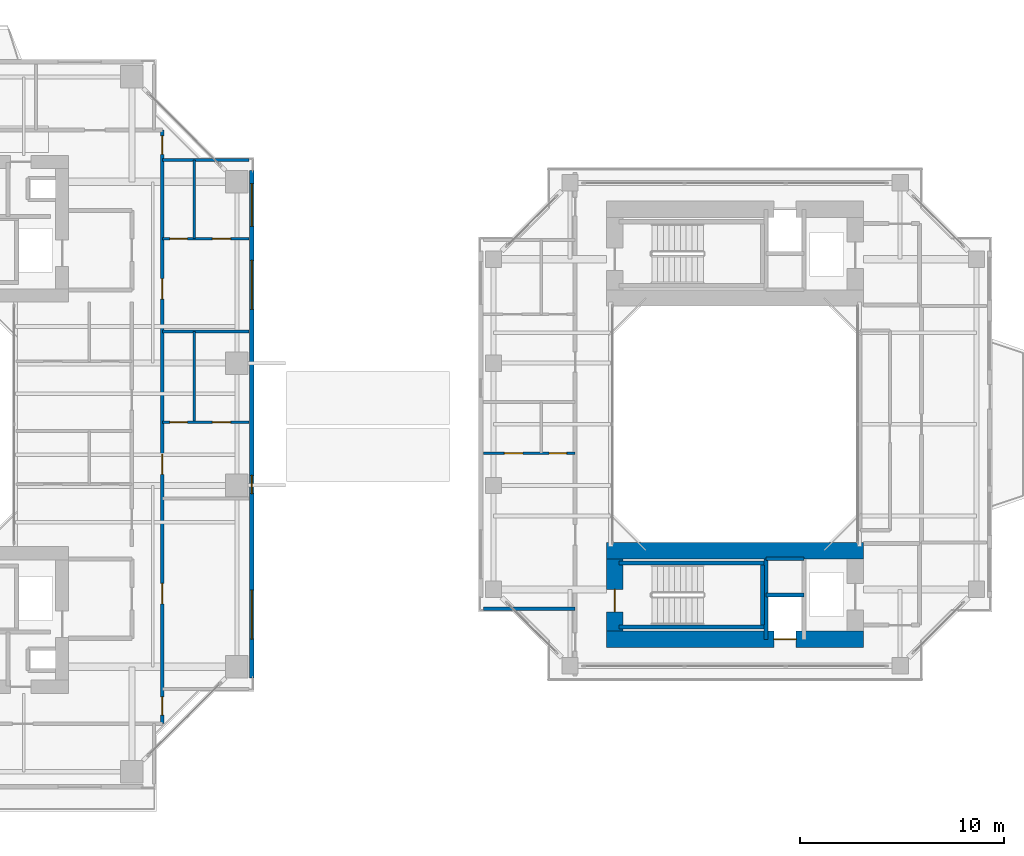
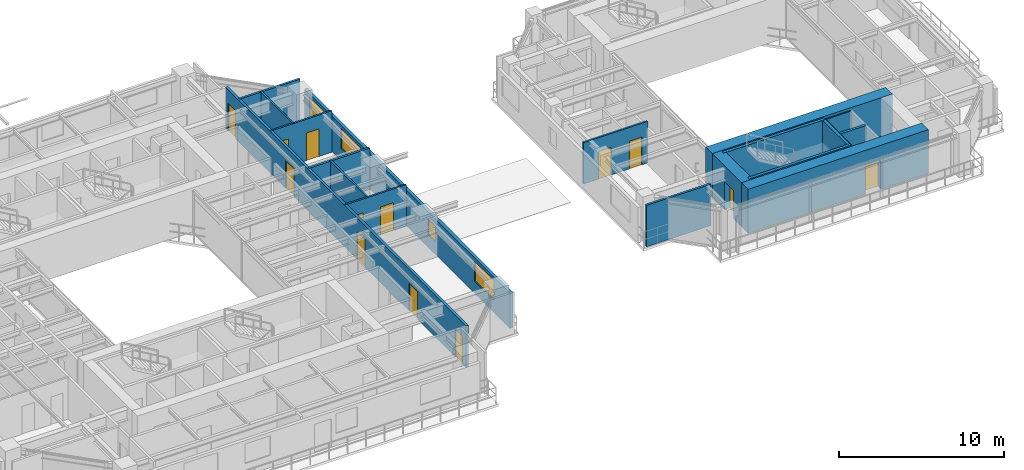
# One storey, part 16 of 23: 19 walls, 13 doors, 4 windows, 17 openings.
"""IFC4 building model written with IfcOpenShell, lengths in metres."""

from ifc_helpers import new_model, si_unit, direction, frame, frame_2d, origin, place, context, subcontext, project, spatial, rectangle, extrude, source, transform, mapped, material, layer, layer_set, type_object, element, fill, save


model = new_model("IFC4")

# Units and contexts
model_context = context("Model", 3, precision=1e-05, world=origin(), true_north=direction((0.0, 1.0)))
body_context = subcontext(model_context, "Body", "Model", "MODEL_VIEW")
ifc_project = project(units=[si_unit("LENGTHUNIT", "METRE"), si_unit("AREAUNIT", "SQUARE_METRE"), si_unit("VOLUMEUNIT", "CUBIC_METRE"), si_unit("PLANEANGLEUNIT", "RADIAN"), si_unit("MASSUNIT", "GRAM", prefix="KILO"), si_unit("THERMODYNAMICTEMPERATUREUNIT", "KELVIN"), si_unit("POWERUNIT", "WATT")], contexts=[model_context])

# Site, building, storey
site_placement = place(None, origin())
site = spatial("IfcSite", under=ifc_project, at=site_placement, CompositionType="ELEMENT")
building_placement = place(site_placement, origin())
building = spatial("IfcBuilding", under=site, at=building_placement, Name="Qiaomeng Ring Towers", CompositionType="ELEMENT")
storey_placement = place(building_placement, frame((0.0, 0.0, 97.0)))
storey = spatial("IfcBuildingStorey", under=building, at=storey_placement, Name="L27", CompositionType="ELEMENT", Elevation=97.0)

# Wall, openings, windows
ifc_material_1 = material(Name="Precast concrete C40", Category="concrete")
ifc_layer_1 = layer(ifc_material_1, 0.219970703125, Name="Precast concrete C40")
ifc_layer_set_1 = layer_set([ifc_layer_1], Name="Precast concrete C40")
wall_type_1 = type_object("IfcWallType", Name="ARC-WL-EW2", PredefinedType="STANDARD", material=ifc_layer_set_1)
wall_1_placement = place(storey_placement, frame((36.7900390625, 10.550048828125, 0.0), z_axis=(0.0, 0.0, 1.0), x_axis=(0.0, 1.0, 0.0)))
wall_1 = element("IfcWall", 1, at=wall_1_placement, inside=storey, type_object=wall_type_1, Name="L27 Tower 1 E Exterior Wall", PredefinedType="STANDARD", context=body_context, shape_type="SweptSolid", body=[
    extrude(rectangle(XDim=24.89990234375, YDim=0.219970703125, at=frame_2d((12.449951171875, 0.0))), origin(), (0.0, 0.0, 1.0), 2.610107421875),
])
opening_1_placement = place(wall_1_placement, frame((1.912109375, 0.0, 0.89990234375)))
opening_1 = element("IfcOpeningElement", 2, at=opening_1_placement, cuts=wall_1, Name="Opening WN6", PredefinedType="OPENING", context=body_context, shape_type="SweptSolid", body=[
    extrude(rectangle(XDim=2.39990234375, YDim=1.47998046875, at=frame_2d((1.199951171875, 0.739990234375))), frame((0.0, 0.119873046875, 0.0), z_axis=(0.0, -1.0, 0.0), x_axis=(1.0, 0.0, 0.0)), (0.0, 0.0, 1.0), 0.239990234375),
])
opening_2_placement = place(wall_1_placement, frame((22.1650390625, 0.0, 0.89990234375)))
opening_2 = element("IfcOpeningElement", 3, at=opening_2_placement, cuts=wall_1, Name="Opening WN4", PredefinedType="OPENING", context=body_context, shape_type="SweptSolid", body=[
    extrude(rectangle(XDim=2.10009765625, YDim=1.5, at=frame_2d((1.050048828125, 0.75))), frame((0.0, 0.119873046875, 0.0), z_axis=(0.0, -1.0, 0.0), x_axis=(1.0, 0.0, 0.0)), (0.0, 0.0, 1.0), 0.239990234375),
])
opening_3_placement = place(wall_1_placement, frame((18.092529296875, 0.0, 0.89990234375)))
opening_3 = element("IfcOpeningElement", 4, at=opening_3_placement, cuts=wall_1, Name="Opening WN6", PredefinedType="OPENING", context=body_context, shape_type="SweptSolid", body=[
    extrude(rectangle(XDim=2.39990234375, YDim=1.5, at=frame_2d((1.199951171875, 0.75))), frame((0.0, 0.119873046875, 0.0), z_axis=(0.0, -1.0, 0.0), x_axis=(1.0, 0.0, 0.0)), (0.0, 0.0, 1.0), 0.239990234375),
])
opening_4_placement = place(wall_1_placement, frame((9.044921875, 0.0, 0.89990234375)))
opening_4 = element("IfcOpeningElement", 5, at=opening_4_placement, cuts=wall_1, Name="Opening WN5", PredefinedType="OPENING", context=body_context, shape_type="SweptSolid", body=[
    extrude(rectangle(XDim=0.89990234375, YDim=1.199951171875, at=frame_2d((0.449951171875, 0.60009765625))), frame((0.0, 0.119873046875, 0.0), z_axis=(0.0, -1.0, 0.0), x_axis=(1.0, 0.0, 0.0)), (0.0, 0.0, 1.0), 0.239990234375),
])
ifc_material_2 = material(Name="Low-E dark-grey laminated double glazing", Category="glass")
window_type_1 = type_object("IfcWindowType", Name="ARC-WN-4", PartitioningType="TRIPLE_PANEL_VERTICAL", PredefinedType="WINDOW", material=ifc_material_2)
shared_shape_1 = source(origin(), body_context, "Body", "SweptSolid", [
    extrude(rectangle(XDim=2.10009765625, YDim=1.5, at=frame_2d((1.050048828125, 0.75))), frame((0.0, 0.030029296875, 0.0), z_axis=(0.0, -1.0, 0.0), x_axis=(1.0, 0.0, 0.0)), (0.0, 0.0, 1.0), 0.06005859375),
])
window_1_placement = place(opening_2_placement, origin())
window_1 = element("IfcWindow", 6, at=window_1_placement, inside=storey, type_object=window_type_1, Name="L27 Exterior Window WN4", OverallHeight=1.5, OverallWidth=2.10009765625, PartitioningType="TRIPLE_PANEL_VERTICAL", PredefinedType="WINDOW", context=body_context, shape_type="MappedRepresentation", body=[
    mapped(shared_shape_1, transform((0.0, 0.0, 0.0), x_axis=(1.0, 0.0, 0.0), y_axis=(0.0, 1.0, 0.0), z_axis=(0.0, 0.0, 1.0), scale=1.0)),
])
fill(opening_2, window_1)
window_type_2 = type_object("IfcWindowType", Name="ARC-WN-6", PartitioningType="TRIPLE_PANEL_VERTICAL", PredefinedType="WINDOW", material=ifc_material_2)
shared_shape_2 = source(origin(), body_context, "Body", "SweptSolid", [
    extrude(rectangle(XDim=2.39990234375, YDim=1.47998046875, at=frame_2d((1.199951171875, 0.739990234375))), frame((0.0, 0.030029296875, 0.0), z_axis=(0.0, -1.0, 0.0), x_axis=(1.0, 0.0, 0.0)), (0.0, 0.0, 1.0), 0.06005859375),
])
window_2_placement = place(opening_1_placement, origin())
window_2 = element("IfcWindow", 7, at=window_2_placement, inside=storey, type_object=window_type_2, Name="L27 Exterior Window WN6", OverallHeight=1.47998046875, OverallWidth=2.39990234375, PartitioningType="TRIPLE_PANEL_VERTICAL", PredefinedType="WINDOW", context=body_context, shape_type="MappedRepresentation", body=[
    mapped(shared_shape_2, transform((0.0, 0.0, 0.0), x_axis=(1.0, 0.0, 0.0), y_axis=(0.0, 1.0, 0.0), z_axis=(0.0, 0.0, 1.0), scale=1.0)),
])
fill(opening_1, window_2)
shared_shape_3 = source(origin(), body_context, "Body", "SweptSolid", [
    extrude(rectangle(XDim=2.39990234375, YDim=1.5, at=frame_2d((1.199951171875, 0.75))), frame((0.0, 0.030029296875, 0.0), z_axis=(0.0, -1.0, 0.0), x_axis=(1.0, 0.0, 0.0)), (0.0, 0.0, 1.0), 0.06005859375),
])
window_3_placement = place(opening_3_placement, origin())
window_3 = element("IfcWindow", 8, at=window_3_placement, inside=storey, type_object=window_type_2, Name="L27 Exterior Window WN6", OverallHeight=1.5, OverallWidth=2.39990234375, PartitioningType="TRIPLE_PANEL_VERTICAL", PredefinedType="WINDOW", context=body_context, shape_type="MappedRepresentation", body=[
    mapped(shared_shape_3, transform((0.0, 0.0, 0.0), x_axis=(1.0, 0.0, 0.0), y_axis=(0.0, 1.0, 0.0), z_axis=(0.0, 0.0, 1.0), scale=1.0)),
])
fill(opening_3, window_3)
window_type_3 = type_object("IfcWindowType", Name="ARC-WN-5", PartitioningType="SINGLE_PANEL", PredefinedType="WINDOW", material=ifc_material_2)
shared_shape_4 = source(origin(), body_context, "Body", "SweptSolid", [
    extrude(rectangle(XDim=0.89990234375, YDim=1.199951171875, at=frame_2d((0.449951171875, 0.60009765625))), frame((0.0, 0.030029296875, 0.0), z_axis=(0.0, -1.0, 0.0), x_axis=(1.0, 0.0, 0.0)), (0.0, 0.0, 1.0), 0.06005859375),
])
window_4_placement = place(opening_4_placement, origin())
window_4 = element("IfcWindow", 9, at=window_4_placement, inside=storey, type_object=window_type_3, Name="L27 Exterior Window WN5", OverallHeight=1.199951171875, OverallWidth=0.89990234375, PartitioningType="SINGLE_PANEL", PredefinedType="WINDOW", context=body_context, shape_type="MappedRepresentation", body=[
    mapped(shared_shape_4, transform((0.0, 0.0, 0.0), x_axis=(1.0, 0.0, 0.0), y_axis=(0.0, 1.0, 0.0), z_axis=(0.0, 0.0, 1.0), scale=1.0)),
])
fill(opening_4, window_4)

# Wall, openings, doors
ifc_material_3 = material(Name="Autoclaved aerated concrete block", Category="concrete")
ifc_layer_2 = layer(ifc_material_3, 0.179931640625, Name="Autoclaved aerated concrete block")
ifc_layer_set_2 = layer_set([ifc_layer_2], Name="Autoclaved aerated concrete block")
wall_type_2 = type_object("IfcWallType", Name="ARC-WL-PW2", PredefinedType="PARTITIONING", material=ifc_layer_set_2)
wall_2_placement = place(storey_placement, frame((32.39990234375, 8.31005859375, 0.0), z_axis=(0.0, 0.0, 1.0), x_axis=(0.0, 1.0, 0.0)))
wall_2 = element("IfcWall", 10, at=wall_2_placement, inside=storey, type_object=wall_type_2, Name="L27 Interior Wall PW2", PredefinedType="PARTITIONING", context=body_context, shape_type="SweptSolid", body=[
    extrude(rectangle(XDim=29.1298828125, YDim=0.179931640625, at=frame_2d((14.56494140625, 0.0))), origin(), (0.0, 0.0, 1.0), 3.070068359375),
])
opening_5_placement = place(wall_2_placement, frame((27.93994140625, 0.0, 0.0)))
opening_5 = element("IfcOpeningElement", 11, at=opening_5_placement, cuts=wall_2, Name="Opening ID1", PredefinedType="OPENING", context=body_context, shape_type="SweptSolid", body=[
    extrude(rectangle(XDim=0.89990234375, YDim=2.050048828125, at=frame_2d((0.449951171875, 1.02490234375))), frame((0.0, 0.099853515625, 0.0), z_axis=(0.0, -1.0, 0.0), x_axis=(1.0, 0.0, 0.0)), (0.0, 0.0, 1.0), 0.199951171875),
])
opening_6_placement = place(wall_2_placement, frame((0.4150390625, 0.0, 0.0)))
opening_6 = element("IfcOpeningElement", 12, at=opening_6_placement, cuts=wall_2, Name="Opening ID1", PredefinedType="OPENING", context=body_context, shape_type="SweptSolid", body=[
    extrude(rectangle(XDim=0.89990234375, YDim=2.050048828125, at=frame_2d((0.449951171875, 1.02490234375))), frame((0.0, 0.099853515625, 0.0), z_axis=(0.0, -1.0, 0.0), x_axis=(1.0, 0.0, 0.0)), (0.0, 0.0, 1.0), 0.199951171875),
])
opening_7_placement = place(wall_2_placement, frame((5.8798828125, 0.0, 0.0)))
opening_7 = element("IfcOpeningElement", 13, at=opening_7_placement, cuts=wall_2, Name="Opening FD4", PredefinedType="OPENING", context=body_context, shape_type="SweptSolid", body=[
    extrude(rectangle(XDim=1.0, YDim=2.050048828125, at=frame_2d((0.5, 1.02490234375))), frame((0.0, 0.099853515625, 0.0), z_axis=(0.0, -1.0, 0.0), x_axis=(1.0, 0.0, 0.0)), (0.0, 0.0, 1.0), 0.199951171875),
])
opening_8_placement = place(wall_2_placement, frame((12.22998046875, 0.0, 0.0)))
opening_8 = element("IfcOpeningElement", 14, at=opening_8_placement, cuts=wall_2, Name="Opening FD4", PredefinedType="OPENING", context=body_context, shape_type="SweptSolid", body=[
    extrude(rectangle(XDim=1.0, YDim=2.050048828125, at=frame_2d((0.5, 1.02490234375))), frame((0.0, 0.099853515625, 0.0), z_axis=(0.0, -1.0, 0.0), x_axis=(1.0, 0.0, 0.0)), (0.0, 0.0, 1.0), 0.199951171875),
])
opening_9_placement = place(wall_2_placement, frame((20.8349609375, 0.0, 0.0)))
opening_9 = element("IfcOpeningElement", 15, at=opening_9_placement, cuts=wall_2, Name="Opening FD4", PredefinedType="OPENING", context=body_context, shape_type="SweptSolid", body=[
    extrude(rectangle(XDim=1.0, YDim=2.050048828125, at=frame_2d((0.5, 1.02490234375))), frame((0.0, 0.099853515625, 0.0), z_axis=(0.0, -1.0, 0.0), x_axis=(1.0, 0.0, 0.0)), (0.0, 0.0, 1.0), 0.199951171875),
])
ifc_material_4 = material(Name="Engineered fire-rated oak timber", Category="wood")
door_type_1 = type_object("IfcDoorType", Name="ARC-DR-FD4", OperationType="NOTDEFINED", PredefinedType="DOOR", material=ifc_material_4)
shared_shape_5 = source(origin(), body_context, "Body", "SweptSolid", [
    extrude(rectangle(XDim=1.0, YDim=2.050048828125, at=frame_2d((0.5, 1.02490234375))), frame((0.0, 0.02490234375, 0.0), z_axis=(0.0, -1.0, 0.0), x_axis=(1.0, 0.0, 0.0)), (0.0, 0.0, 1.0), 0.050048828125),
])
door_1_placement = place(opening_7_placement, origin())
door_1 = element("IfcDoor", 16, at=door_1_placement, inside=storey, type_object=door_type_1, Name="L27 Door FD4", OperationType="SINGLE_SWING_RIGHT", OverallHeight=2.050048828125, OverallWidth=1.0, PredefinedType="DOOR", context=body_context, shape_type="MappedRepresentation", body=[
    mapped(shared_shape_5, transform((0.0, 0.0, 0.0), x_axis=(1.0, 0.0, 0.0), y_axis=(0.0, 1.0, 0.0), z_axis=(0.0, 0.0, 1.0), scale=1.0)),
])
fill(opening_7, door_1)
door_2_placement = place(opening_8_placement, origin())
door_2 = element("IfcDoor", 17, at=door_2_placement, inside=storey, type_object=door_type_1, Name="L27 Door FD4", OperationType="SINGLE_SWING_LEFT", OverallHeight=2.050048828125, OverallWidth=1.0, PredefinedType="DOOR", context=body_context, shape_type="MappedRepresentation", body=[
    mapped(shared_shape_5, transform((0.0, 0.0, 0.0), x_axis=(1.0, 0.0, 0.0), y_axis=(0.0, 1.0, 0.0), z_axis=(0.0, 0.0, 1.0), scale=1.0)),
])
fill(opening_8, door_2)
door_3_placement = place(opening_9_placement, origin())
door_3 = element("IfcDoor", 18, at=door_3_placement, inside=storey, type_object=door_type_1, Name="L27 Door FD4", OperationType="SINGLE_SWING_RIGHT", OverallHeight=2.050048828125, OverallWidth=1.0, PredefinedType="DOOR", context=body_context, shape_type="MappedRepresentation", body=[
    mapped(shared_shape_5, transform((0.0, 0.0, 0.0), x_axis=(1.0, 0.0, 0.0), y_axis=(0.0, 1.0, 0.0), z_axis=(0.0, 0.0, 1.0), scale=1.0)),
])
fill(opening_9, door_3)
ifc_material_5 = material(Name="Engineered oak timber", Category="wood")
door_type_2 = type_object("IfcDoorType", Name="ARC-DR-ID1", OperationType="NOTDEFINED", PredefinedType="DOOR", material=ifc_material_5)
shared_shape_6 = source(origin(), body_context, "Body", "SweptSolid", [
    extrude(rectangle(XDim=0.89990234375, YDim=2.050048828125, at=frame_2d((0.449951171875, 1.02490234375))), frame((0.0, 0.02490234375, 0.0), z_axis=(0.0, -1.0, 0.0), x_axis=(1.0, 0.0, 0.0)), (0.0, 0.0, 1.0), 0.050048828125),
])
door_4_placement = place(opening_5_placement, origin())
door_4 = element("IfcDoor", 19, at=door_4_placement, inside=storey, type_object=door_type_2, Name="L27 Door ID1", OperationType="SINGLE_SWING_RIGHT", OverallHeight=2.050048828125, OverallWidth=0.89990234375, PredefinedType="DOOR", context=body_context, shape_type="MappedRepresentation", body=[
    mapped(shared_shape_6, transform((0.0, 0.0, 0.0), x_axis=(1.0, 0.0, 0.0), y_axis=(0.0, 1.0, 0.0), z_axis=(0.0, 0.0, 1.0), scale=1.0)),
])
fill(opening_5, door_4)
door_5_placement = place(opening_6_placement, origin())
door_5 = element("IfcDoor", 20, at=door_5_placement, inside=storey, type_object=door_type_2, Name="L27 Door ID1", OperationType="SINGLE_SWING_LEFT", OverallHeight=2.050048828125, OverallWidth=0.89990234375, PredefinedType="DOOR", context=body_context, shape_type="MappedRepresentation", body=[
    mapped(shared_shape_6, transform((0.0, 0.0, 0.0), x_axis=(1.0, 0.0, 0.0), y_axis=(0.0, 1.0, 0.0), z_axis=(0.0, 0.0, 1.0), scale=1.0)),
])
fill(opening_6, door_5)

# Walls
ifc_material_6 = material(Name="Gypsum fireboard steel-stud partition", Category="steel")
ifc_layer_3 = layer(ifc_material_6, 0.14990234375, Name="Gypsum fireboard steel-stud partition")
ifc_layer_set_3 = layer_set([ifc_layer_3], Name="Gypsum fireboard steel-stud partition")
wall_type_3 = type_object("IfcWallType", Name="ARC-WL-PW3", PredefinedType="PARTITIONING", material=ifc_layer_set_3)
for number, where, z_axis, x_axis, name in (
    (21, (32.39990234375, 35.97998046875, 0.0), (0.0, 0.0, 1.0), (1.0, 0.0, 0.0), "L27 Interior Wall PW3"),
    (22, (32.39990234375, 27.56005859375, 0.0), (0.0, 0.0, 1.0), (1.0, 0.0, 0.0), "L27 Interior Wall PW3"),
):
    element("IfcWall", number, at=place(storey_placement, frame(where, z_axis=z_axis, x_axis=x_axis)), inside=storey, type_object=wall_type_3, Name=name, PredefinedType="PARTITIONING", context=body_context, shape_type="SweptSolid", body=[
        extrude(rectangle(XDim=4.25, YDim=0.14990234375, at=frame_2d((2.125, 0.0))), origin(), (0.0, 0.0, 1.0), 3.070068359375),
    ])
wall_3_placement = place(storey_placement, frame((48.14990234375, 13.949951171875, 0.0), z_axis=(0.0, 0.0, 1.0), x_axis=(1.0, 0.0, 0.0)))
element("IfcWall", 23, at=wall_3_placement, inside=storey, type_object=wall_type_3, Name="L27 Interior Wall PW3", PredefinedType="PARTITIONING", context=body_context, shape_type="SweptSolid", body=[
    extrude(rectangle(XDim=4.5, YDim=0.14990234375, at=frame_2d((2.25, 0.0))), origin(), (0.0, 0.0, 1.0), 3.070068359375),
])

# Wall, openings, doors
ifc_material_7 = material(Name="Moisture-resistant gypsum steel-stud partition", Category="steel")
ifc_layer_4 = layer(ifc_material_7, 0.1201171875, Name="Moisture-resistant gypsum steel-stud partition")
ifc_layer_set_4 = layer_set([ifc_layer_4], Name="Moisture-resistant gypsum steel-stud partition")
wall_type_4 = type_object("IfcWallType", Name="ARC-WL-PW4", PredefinedType="PLUMBINGWALL", material=ifc_layer_set_4)
wall_4_placement = place(storey_placement, frame((32.39990234375, 23.10009765625, 0.0), z_axis=(0.0, 0.0, 1.0), x_axis=(1.0, 0.0, 0.0)))
wall_4 = element("IfcWall", 24, at=wall_4_placement, inside=storey, type_object=wall_type_4, Name="L27 Interior Wall PW4", PredefinedType="PLUMBINGWALL", context=body_context, shape_type="SweptSolid", body=[
    extrude(rectangle(XDim=4.25, YDim=0.1201171875, at=frame_2d((2.125, 0.0))), origin(), (0.0, 0.0, 1.0), 3.070068359375),
])
opening_10_placement = place(wall_4_placement, frame((0.3701171875, 0.0, 0.0)))
opening_10 = element("IfcOpeningElement", 25, at=opening_10_placement, cuts=wall_4, Name="Opening ID2", PredefinedType="OPENING", context=body_context, shape_type="SweptSolid", body=[
    extrude(rectangle(XDim=0.85009765625, YDim=2.050048828125, at=frame_2d((0.425048828125, 1.02490234375))), frame((0.0, 0.070068359375, 0.0), z_axis=(0.0, -1.0, 0.0), x_axis=(1.0, 0.0, 0.0)), (0.0, 0.0, 1.0), 0.14013671875),
])
opening_11_placement = place(wall_4_placement, frame((2.449951171875, 0.0, 0.0)))
opening_11 = element("IfcOpeningElement", 26, at=opening_11_placement, cuts=wall_4, Name="Opening ID1", PredefinedType="OPENING", context=body_context, shape_type="SweptSolid", body=[
    extrude(rectangle(XDim=0.89990234375, YDim=2.050048828125, at=frame_2d((0.449951171875, 1.02490234375))), frame((0.0, 0.070068359375, 0.0), z_axis=(0.0, -1.0, 0.0), x_axis=(1.0, 0.0, 0.0)), (0.0, 0.0, 1.0), 0.14013671875),
])
ifc_material_8 = material(Name="Moisture-resistant engineered timber", Category="wood")
door_type_3 = type_object("IfcDoorType", Name="ARC-DR-ID2", OperationType="NOTDEFINED", PredefinedType="DOOR", material=ifc_material_8)
shared_shape_7 = source(origin(), body_context, "Body", "SweptSolid", [
    extrude(rectangle(XDim=0.85009765625, YDim=2.050048828125, at=frame_2d((0.425048828125, 1.02490234375))), frame((0.0, 0.02490234375, 0.0), z_axis=(0.0, -1.0, 0.0), x_axis=(1.0, 0.0, 0.0)), (0.0, 0.0, 1.0), 0.050048828125),
])
door_6_placement = place(opening_10_placement, origin())
door_6 = element("IfcDoor", 27, at=door_6_placement, inside=storey, type_object=door_type_3, Name="L27 Door ID2", OperationType="SINGLE_SWING_LEFT", OverallHeight=2.050048828125, OverallWidth=0.85009765625, PredefinedType="DOOR", context=body_context, shape_type="MappedRepresentation", body=[
    mapped(shared_shape_7, transform((0.0, 0.0, 0.0), x_axis=(1.0, 0.0, 0.0), y_axis=(0.0, 1.0, 0.0), z_axis=(0.0, 0.0, 1.0), scale=1.0)),
])
fill(opening_10, door_6)
door_7_placement = place(opening_11_placement, origin())
door_7 = element("IfcDoor", 28, at=door_7_placement, inside=storey, type_object=door_type_2, Name="L27 Door ID1", OperationType="SINGLE_SWING_RIGHT", OverallHeight=2.050048828125, OverallWidth=0.89990234375, PredefinedType="DOOR", context=body_context, shape_type="MappedRepresentation", body=[
    mapped(shared_shape_6, transform((0.0, 0.0, 0.0), x_axis=(1.0, 0.0, 0.0), y_axis=(0.0, 1.0, 0.0), z_axis=(0.0, 0.0, 1.0), scale=1.0)),
])
fill(opening_11, door_7)

# Wall
wall_5_placement = place(storey_placement, frame((33.969970703125, 23.10009765625, 0.0), z_axis=(0.0, 0.0, 1.0), x_axis=(0.0, 1.0, 0.0)))
element("IfcWall", 29, at=wall_5_placement, inside=storey, type_object=wall_type_4, Name="L27 Interior Wall PW4", PredefinedType="PLUMBINGWALL", context=body_context, shape_type="SweptSolid", body=[
    extrude(rectangle(XDim=4.4599609375, YDim=0.1201171875, at=frame_2d((2.22998046875, 0.0))), origin(), (0.0, 0.0, 1.0), 3.070068359375),
])

# Wall, openings, doors
wall_6_placement = place(storey_placement, frame((32.39990234375, 32.110107421875, 0.0), z_axis=(0.0, 0.0, 1.0), x_axis=(1.0, 0.0, 0.0)))
wall_6 = element("IfcWall", 30, at=wall_6_placement, inside=storey, type_object=wall_type_4, Name="L27 Interior Wall PW4", PredefinedType="PLUMBINGWALL", context=body_context, shape_type="SweptSolid", body=[
    extrude(rectangle(XDim=4.25, YDim=0.1201171875, at=frame_2d((2.125, 0.0))), origin(), (0.0, 0.0, 1.0), 3.070068359375),
])
opening_12_placement = place(wall_6_placement, frame((0.3701171875, 0.0, 0.0)))
opening_12 = element("IfcOpeningElement", 31, at=opening_12_placement, cuts=wall_6, Name="Opening ID2", PredefinedType="OPENING", context=body_context, shape_type="SweptSolid", body=[
    extrude(rectangle(XDim=0.85009765625, YDim=2.050048828125, at=frame_2d((0.425048828125, 1.02490234375))), frame((0.0, 0.070068359375, 0.0), z_axis=(0.0, -1.0, 0.0), x_axis=(1.0, 0.0, 0.0)), (0.0, 0.0, 1.0), 0.14013671875),
])
opening_13_placement = place(wall_6_placement, frame((2.449951171875, 0.0, 0.0)))
opening_13 = element("IfcOpeningElement", 32, at=opening_13_placement, cuts=wall_6, Name="Opening ID1", PredefinedType="OPENING", context=body_context, shape_type="SweptSolid", body=[
    extrude(rectangle(XDim=0.89990234375, YDim=2.050048828125, at=frame_2d((0.449951171875, 1.02490234375))), frame((0.0, 0.070068359375, 0.0), z_axis=(0.0, -1.0, 0.0), x_axis=(1.0, 0.0, 0.0)), (0.0, 0.0, 1.0), 0.14013671875),
])
door_8_placement = place(opening_12_placement, origin())
door_8 = element("IfcDoor", 33, at=door_8_placement, inside=storey, type_object=door_type_3, Name="L27 Door ID2", OperationType="SINGLE_SWING_RIGHT", OverallHeight=2.050048828125, OverallWidth=0.85009765625, PredefinedType="DOOR", context=body_context, shape_type="MappedRepresentation", body=[
    mapped(shared_shape_7, transform((0.0, 0.0, 0.0), x_axis=(1.0, 0.0, 0.0), y_axis=(0.0, 1.0, 0.0), z_axis=(0.0, 0.0, 1.0), scale=1.0)),
])
fill(opening_12, door_8)
door_9_placement = place(opening_13_placement, origin())
door_9 = element("IfcDoor", 34, at=door_9_placement, inside=storey, type_object=door_type_2, Name="L27 Door ID1", OperationType="SINGLE_SWING_LEFT", OverallHeight=2.050048828125, OverallWidth=0.89990234375, PredefinedType="DOOR", context=body_context, shape_type="MappedRepresentation", body=[
    mapped(shared_shape_6, transform((0.0, 0.0, 0.0), x_axis=(1.0, 0.0, 0.0), y_axis=(0.0, 1.0, 0.0), z_axis=(0.0, 0.0, 1.0), scale=1.0)),
])
fill(opening_13, door_9)

# Wall
wall_7_placement = place(storey_placement, frame((33.969970703125, 32.110107421875, 0.0), z_axis=(0.0, 0.0, 1.0), x_axis=(0.0, 1.0, 0.0)))
element("IfcWall", 35, at=wall_7_placement, inside=storey, type_object=wall_type_4, Name="L27 Interior Wall PW4", PredefinedType="PLUMBINGWALL", context=body_context, shape_type="SweptSolid", body=[
    extrude(rectangle(XDim=3.869873046875, YDim=0.1201171875, at=frame_2d((1.93505859375, 0.0))), origin(), (0.0, 0.0, 1.0), 3.070068359375),
])

# Wall, openings, doors
wall_8_placement = place(storey_placement, frame((48.14990234375, 21.580078125, 0.0), z_axis=(0.0, 0.0, 1.0), x_axis=(1.0, 0.0, 0.0)))
wall_8 = element("IfcWall", 36, at=wall_8_placement, inside=storey, type_object=wall_type_4, Name="L27 Interior Wall PW4", PredefinedType="PLUMBINGWALL", context=body_context, shape_type="SweptSolid", body=[
    extrude(rectangle(XDim=4.5, YDim=0.1201171875, at=frame_2d((2.25, 0.0))), origin(), (0.0, 0.0, 1.0), 3.070068359375),
])
opening_14_placement = place(wall_8_placement, frame((1.035888671875, 0.0, 0.0)))
opening_14 = element("IfcOpeningElement", 37, at=opening_14_placement, cuts=wall_8, Name="Opening ID1", PredefinedType="OPENING", context=body_context, shape_type="SweptSolid", body=[
    extrude(rectangle(XDim=0.89990234375, YDim=2.050048828125, at=frame_2d((0.449951171875, 1.02490234375))), frame((0.0, 0.070068359375, 0.0), z_axis=(0.0, -1.0, 0.0), x_axis=(1.0, 0.0, 0.0)), (0.0, 0.0, 1.0), 0.14013671875),
])
opening_15_placement = place(wall_8_placement, frame((3.22998046875, 0.0, 0.0)))
opening_15 = element("IfcOpeningElement", 38, at=opening_15_placement, cuts=wall_8, Name="Opening ID2", PredefinedType="OPENING", context=body_context, shape_type="SweptSolid", body=[
    extrude(rectangle(XDim=0.85009765625, YDim=2.050048828125, at=frame_2d((0.425048828125, 1.02490234375))), frame((0.0, 0.070068359375, 0.0), z_axis=(0.0, -1.0, 0.0), x_axis=(1.0, 0.0, 0.0)), (0.0, 0.0, 1.0), 0.14013671875),
])
door_10_placement = place(opening_15_placement, origin())
door_10 = element("IfcDoor", 39, at=door_10_placement, inside=storey, type_object=door_type_3, Name="L27 Door ID2", OperationType="SINGLE_SWING_RIGHT", OverallHeight=2.050048828125, OverallWidth=0.85009765625, PredefinedType="DOOR", context=body_context, shape_type="MappedRepresentation", body=[
    mapped(shared_shape_7, transform((0.0, 0.0, 0.0), x_axis=(1.0, 0.0, 0.0), y_axis=(0.0, 1.0, 0.0), z_axis=(0.0, 0.0, 1.0), scale=1.0)),
])
fill(opening_15, door_10)
door_11_placement = place(opening_14_placement, origin())
door_11 = element("IfcDoor", 40, at=door_11_placement, inside=storey, type_object=door_type_2, Name="L27 Door ID1", OperationType="SINGLE_SWING_LEFT", OverallHeight=2.050048828125, OverallWidth=0.89990234375, PredefinedType="DOOR", context=body_context, shape_type="MappedRepresentation", body=[
    mapped(shared_shape_6, transform((0.0, 0.0, 0.0), x_axis=(1.0, 0.0, 0.0), y_axis=(0.0, 1.0, 0.0), z_axis=(0.0, 0.0, 1.0), scale=1.0)),
])
fill(opening_14, door_11)

# Walls
ifc_material_9 = material(Name="Concrete C40", Category="concrete")
ifc_layer_5 = layer(ifc_material_9, 0.199951171875, Name="Concrete C40")
ifc_layer_set_5 = layer_set([ifc_layer_5], Name="Concrete C40")
wall_type_5 = type_object("IfcWallType", Name="STR-WL-STSHAFT", PredefinedType="SHEAR", material=ifc_layer_set_5)
wall_9_placement = place(storey_placement, frame((62.02001953125, 12.449951171875, 0.0), z_axis=(0.0, 0.0, 1.0), x_axis=(0.0, 1.0, 0.0)))
element("IfcWall", 41, at=wall_9_placement, inside=storey, type_object=wall_type_5, Name="L27 Companion Lift Shaft West Wall S", PredefinedType="SHEAR", context=body_context, shape_type="SweptSolid", body=[
    extrude(rectangle(XDim=3.949951171875, YDim=0.179931640625, at=frame_2d((1.97509765625, 0.0))), origin(), (0.0, 0.0, 1.0), 3.070068359375),
])
for number, where, z_axis, x_axis, name in (
    (42, (62.02001953125, 14.6201171875, 0.0), (0.0, 0.0, 1.0), (1.0, 0.0, 0.0), "L27 Companion Lift Shaft Divider Wall S"),
    (43, (62.02001953125, 16.39990234375, 0.0), (0.0, 0.0, 1.0), (1.0, 0.0, 0.0), "L27 Companion Riser Shaft Back Wall S"),
):
    element("IfcWall", number, at=place(storey_placement, frame(where, z_axis=z_axis, x_axis=x_axis)), inside=storey, type_object=wall_type_5, Name=name, PredefinedType="SHEAR", context=body_context, shape_type="SweptSolid", body=[
        extrude(rectangle(XDim=1.85986328125, YDim=0.179931640625, at=frame_2d((0.929931640625, 0.0))), origin(), (0.0, 0.0, 1.0), 3.070068359375),
    ])
for number, where, z_axis, x_axis, name in (
    (44, (54.800048828125, 13.06005859375, 0.0), (0.0, 0.0, 1.0), (1.0, 0.0, 0.0), "L27 Stair ST6 South Shaft Shear Wall"),
    (45, (54.800048828125, 16.199951171875, 0.0), (0.0, 0.0, 1.0), (1.0, 0.0, 0.0), "L27 Stair ST6 North Shaft Shear Wall"),
):
    element("IfcWall", number, at=place(storey_placement, frame(where, z_axis=z_axis, x_axis=x_axis)), inside=storey, type_object=wall_type_5, Name=name, PredefinedType="SHEAR", context=body_context, shape_type="SweptSolid", body=[
        extrude(rectangle(XDim=7.14990234375, YDim=0.199951171875, at=frame_2d((3.574951171875, 0.0))), origin(), (0.0, 0.0, 1.0), 3.25),
    ])
wall_10_placement = place(storey_placement, frame((61.85009765625, 13.159912109375, 0.0), z_axis=(0.0, 0.0, 1.0), x_axis=(0.0, 1.0, 0.0)))
element("IfcWall", 46, at=wall_10_placement, inside=storey, type_object=wall_type_5, Name="L27 Stair ST6 East Shaft Shear Wall", PredefinedType="SHEAR", context=body_context, shape_type="SweptSolid", body=[
    extrude(rectangle(XDim=2.940185546875, YDim=0.199951171875, at=frame_2d((1.47021484375, 0.0))), origin(), (0.0, 0.0, 1.0), 3.25),
])

# Wall, opening, door
ifc_material_10 = material(Name="Concrete C60", Category="concrete")
ifc_layer_6 = layer(ifc_material_10, 0.800048828125, Name="Concrete C60")
ifc_layer_set_6 = layer_set([ifc_layer_6], Name="Concrete C60")
wall_type_6 = type_object("IfcWallType", Name="STR-WL-SW1", PredefinedType="SHEAR", material=ifc_layer_set_6)
wall_11_placement = place(storey_placement, frame((54.199951171875, 12.449951171875, 0.0), z_axis=(0.0, 0.0, 1.0), x_axis=(1.0, 0.0, 0.0)))
wall_11 = element("IfcWall", 47, at=wall_11_placement, inside=storey, type_object=wall_type_6, Name="L27 T2SC south core shear wall", PredefinedType="SHEAR", context=body_context, shape_type="SweptSolid", body=[
    extrude(rectangle(XDim=12.60009765625, YDim=0.800048828125, at=frame_2d((6.300048828125, 0.0))), origin(), (0.0, 0.0, 1.0), 3.25),
])
opening_16_placement = place(wall_11_placement, frame((8.199951171875, 0.0, 0.0)))
opening_16 = element("IfcOpeningElement", 48, at=opening_16_placement, cuts=wall_11, Name="Opening LD1", PredefinedType="OPENING", context=body_context, shape_type="SweptSolid", body=[
    extrude(rectangle(XDim=1.10009765625, YDim=2.050048828125, at=frame_2d((0.550048828125, 1.02490234375))), frame((0.0, 0.409912109375, 0.0), z_axis=(0.0, -1.0, 0.0), x_axis=(1.0, 0.0, 0.0)), (0.0, 0.0, 1.0), 0.820068359375),
])
ifc_material_11 = material(Name="Stainless steel 316", Category="steel")
door_type_4 = type_object("IfcDoorType", Name="ARC-DR-LD1", OperationType="NOTDEFINED", PredefinedType="DOOR", material=ifc_material_11)
shared_shape_8 = source(origin(), body_context, "Body", "SweptSolid", [
    extrude(rectangle(XDim=1.10009765625, YDim=2.050048828125, at=frame_2d((0.550048828125, 1.02490234375))), frame((0.0, 0.02490234375, 0.0), z_axis=(0.0, -1.0, 0.0), x_axis=(1.0, 0.0, 0.0)), (0.0, 0.0, 1.0), 0.050048828125),
])
door_12_placement = place(opening_16_placement, origin())
door_12 = element("IfcDoor", 49, at=door_12_placement, inside=storey, type_object=door_type_4, Name="L27 Companion Lift LP8 Landing Door", OperationType="SLIDING_TO_RIGHT", OverallHeight=2.050048828125, OverallWidth=1.10009765625, PredefinedType="DOOR", context=body_context, shape_type="MappedRepresentation", body=[
    mapped(shared_shape_8, transform((0.0, 0.0, 0.0), x_axis=(1.0, 0.0, 0.0), y_axis=(0.0, 1.0, 0.0), z_axis=(0.0, 0.0, 1.0), scale=1.0)),
])
fill(opening_16, door_12)

# Wall
wall_12_placement = place(storey_placement, frame((54.199951171875, 16.800048828125, 0.0), z_axis=(0.0, 0.0, 1.0), x_axis=(1.0, 0.0, 0.0)))
element("IfcWall", 50, at=wall_12_placement, inside=storey, type_object=wall_type_6, Name="L27 T2SC north core shear wall", PredefinedType="SHEAR", context=body_context, shape_type="SweptSolid", body=[
    extrude(rectangle(XDim=12.60009765625, YDim=0.800048828125, at=frame_2d((6.300048828125, 0.0))), origin(), (0.0, 0.0, 1.0), 3.25),
])

# Wall, opening, door
wall_13_placement = place(storey_placement, frame((54.60009765625, 12.85009765625, 0.0), z_axis=(0.0, 0.0, 1.0), x_axis=(0.0, 1.0, 0.0)))
wall_13 = element("IfcWall", 51, at=wall_13_placement, inside=storey, type_object=wall_type_6, Name="L27 T2SC west core shear wall", PredefinedType="SHEAR", context=body_context, shape_type="SweptSolid", body=[
    extrude(rectangle(XDim=3.5498046875, YDim=0.800048828125, at=frame_2d((1.77490234375, 0.0))), origin(), (0.0, 0.0, 1.0), 3.25),
])
opening_17_placement = place(wall_13_placement, frame((0.949951171875, 0.0, 0.0)))
opening_17 = element("IfcOpeningElement", 52, at=opening_17_placement, cuts=wall_13, Name="Opening FD3", PredefinedType="OPENING", context=body_context, shape_type="SweptSolid", body=[
    extrude(rectangle(XDim=1.10009765625, YDim=2.050048828125, at=frame_2d((0.550048828125, 1.02490234375))), frame((0.0, 0.409912109375, 0.0), z_axis=(0.0, -1.0, 0.0), x_axis=(1.0, 0.0, 0.0)), (0.0, 0.0, 1.0), 0.820068359375),
])
ifc_material_12 = material(Name="Galvanised steel", Category="steel")
door_type_5 = type_object("IfcDoorType", Name="ARC-DR-FD3", OperationType="NOTDEFINED", PredefinedType="DOOR", material=ifc_material_12)
door_13_placement = place(opening_17_placement, origin())
door_13 = element("IfcDoor", 53, at=door_13_placement, inside=storey, type_object=door_type_5, Name="L27 Stair ST6 Exit Door", OperationType="SINGLE_SWING_RIGHT", OverallHeight=2.050048828125, OverallWidth=1.10009765625, PredefinedType="DOOR", context=body_context, shape_type="MappedRepresentation", body=[
    mapped(shared_shape_8, transform((0.0, 0.0, 0.0), x_axis=(1.0, 0.0, 0.0), y_axis=(0.0, 1.0, 0.0), z_axis=(0.0, 0.0, 1.0), scale=1.0)),
])
fill(opening_17, door_13)

save(model, "model.ifc")
